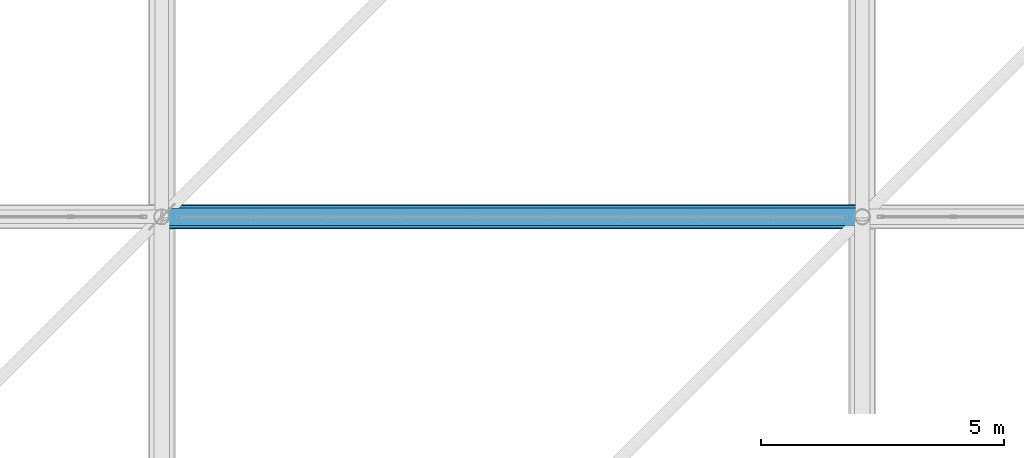
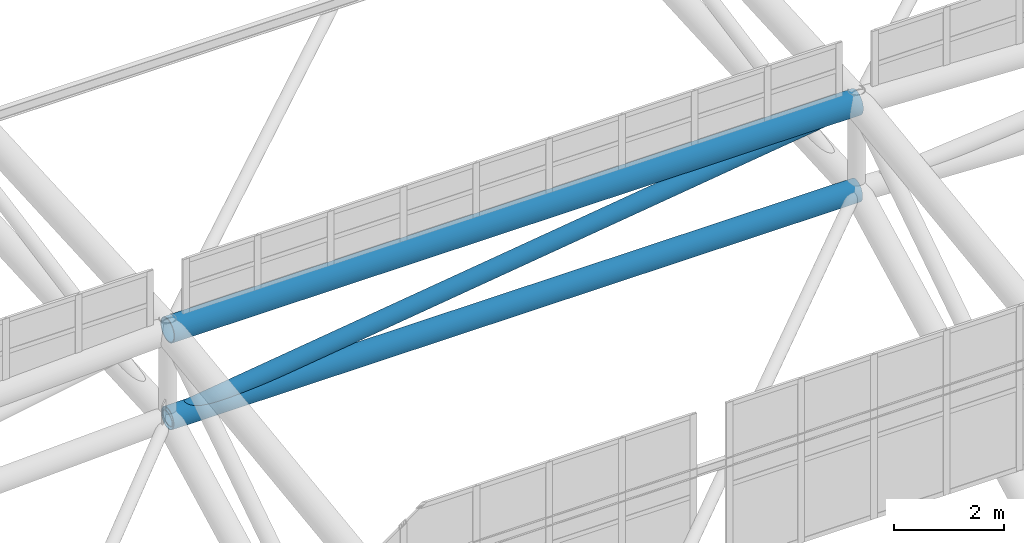
# One storey, part 96 of 397: 2 beams, 1 member.
"""IFC4 building model written with IfcOpenShell, lengths in metres."""

from ifc_helpers import new_model, si_unit, direction, frame, origin, origin_2d, place, context, subcontext, project, spatial, hollow_circle, extrude, material, material_profile, profile_set, type_object, element, save


model = new_model("IFC4")

# Units and contexts
model_context = context("Model", 3, precision=1e-05, world=origin(), true_north=direction((0.0, 1.0)))
body_context = subcontext(model_context, "Body", "Model", "MODEL_VIEW")
ifc_project = project(units=[si_unit("LENGTHUNIT", "METRE"), si_unit("AREAUNIT", "SQUARE_METRE"), si_unit("VOLUMEUNIT", "CUBIC_METRE"), si_unit("PLANEANGLEUNIT", "RADIAN"), si_unit("MASSUNIT", "GRAM", prefix="KILO")], contexts=[model_context])

# Site, building, storey
site_placement = place(None, origin())
site = spatial("IfcSite", under=ifc_project, at=site_placement, CompositionType="ELEMENT")
building_placement = place(site_placement, origin())
building = spatial("IfcBuilding", under=site, at=building_placement, Name="Qandorah Velis Arena", CompositionType="ELEMENT")
storey_placement = place(building_placement, frame((0.0, 0.0, 27.5)))
storey = spatial("IfcBuildingStorey", under=building, at=storey_placement, Name="RF", CompositionType="ELEMENT", Elevation=27.5)

# Beams
ifc_material = material(Name="Steel S355", Category="steel")
ifc_material_profile_1 = material_profile(ifc_material, hollow_circle(Radius=0.228515625, WallThickness=0.01611328125, at=origin_2d()), Name="CHS 457x16")
ifc_profile_set_1 = profile_set([ifc_material_profile_1], Name="Steel S355")
beam_type_1 = type_object("IfcBeamType", Name="STR-SFC-CHS457X16", PredefinedType="USERDEFINED", material=ifc_profile_set_1)
beam_1_placement = place(storey_placement, frame((57.60009765625, 28.800048828125, 7.61328125), z_axis=(1.0, 0.0, 0.0), x_axis=(0.0, 1.0, 0.0)))
element("IfcBeam", 1, at=beam_1_placement, inside=storey, type_object=beam_type_1, Name="Space frame roof truss bottom chord X 3.1", ObjectType="ROOF TRUSS", PredefinedType="USERDEFINED", context=body_context, shape_type="SweptSolid", body=[
    extrude(hollow_circle(Radius=0.228515625, WallThickness=0.01611328125, at=origin_2d()), origin(), (0.0, 0.0, 1.0), 14.39990234375),
])
ifc_material_profile_2 = material_profile(ifc_material, hollow_circle(Radius=0.25390625, WallThickness=0.02001953125, at=origin_2d()), Name="CHS 508x20")
ifc_profile_set_2 = profile_set([ifc_material_profile_2], Name="Steel S355")
beam_type_2 = type_object("IfcBeamType", Name="STR-SFC-CHS508X20", PredefinedType="USERDEFINED", material=ifc_profile_set_2)
beam_2_placement = place(storey_placement, frame((57.60009765625, 28.800048828125, 9.563232421875), z_axis=(1.0, 0.0, 0.0), x_axis=(0.0, 1.0, 0.0)))
element("IfcBeam", 2, at=beam_2_placement, inside=storey, type_object=beam_type_2, Name="Space frame roof truss top chord X 3.1", ObjectType="ROOF TRUSS", PredefinedType="USERDEFINED", context=body_context, shape_type="SweptSolid", body=[
    extrude(hollow_circle(Radius=0.25390625, WallThickness=0.02001953125, at=origin_2d()), origin(), (0.0, 0.0, 1.0), 14.39990234375),
])

# Member
ifc_material_profile_3 = material_profile(ifc_material, hollow_circle(Radius=0.177734375, WallThickness=0.01611328125, at=origin_2d()), Name="CHS 355.6x16")
ifc_profile_set_3 = profile_set([ifc_material_profile_3], Name="Steel S355")
member_type = type_object("IfcMemberType", Name="STR-SFD-CHS355X16", PredefinedType="STRUT", material=ifc_profile_set_3)
member_placement = place(storey_placement, frame((57.60009765625, 28.800048828125, 7.61328125), z_axis=(0.990955693773, 0.0, 0.134189466721), x_axis=(0.0, 1.0, 0.0)))
element("IfcMember", 3, at=member_placement, inside=storey, type_object=member_type, Name="Space frame roof diagonal X 3.1", PredefinedType="STRUT", context=body_context, shape_type="SweptSolid", body=[
    extrude(hollow_circle(Radius=0.177734375, WallThickness=0.01611328125, at=origin_2d()), origin(), (0.0, 0.0, 1.0), 14.53125),
])

save(model, "model.ifc")
